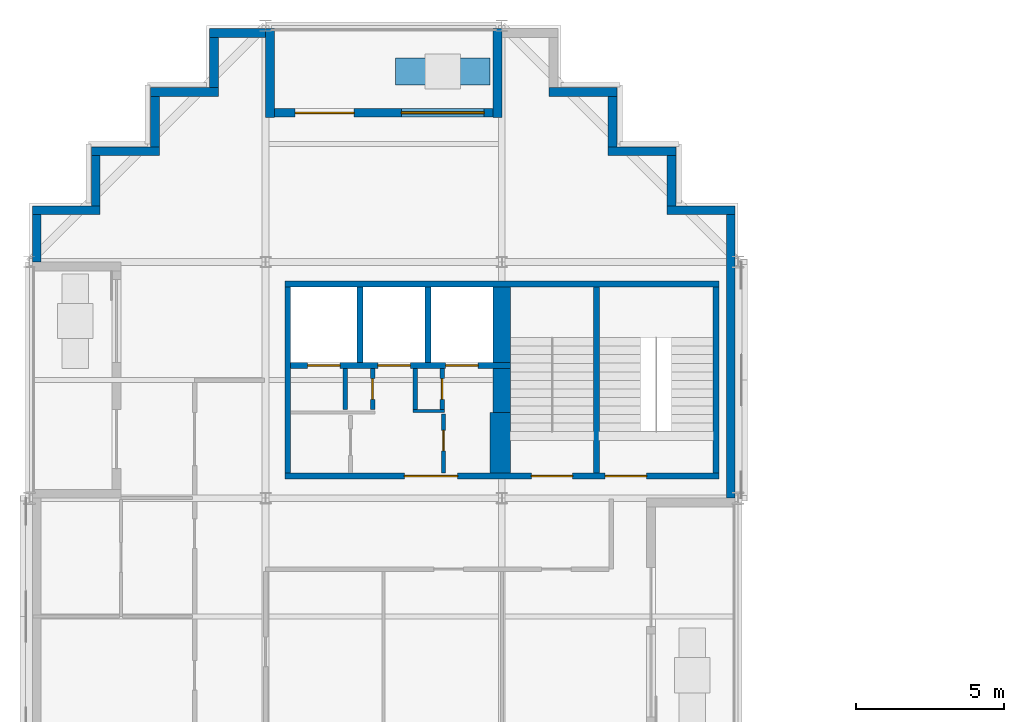
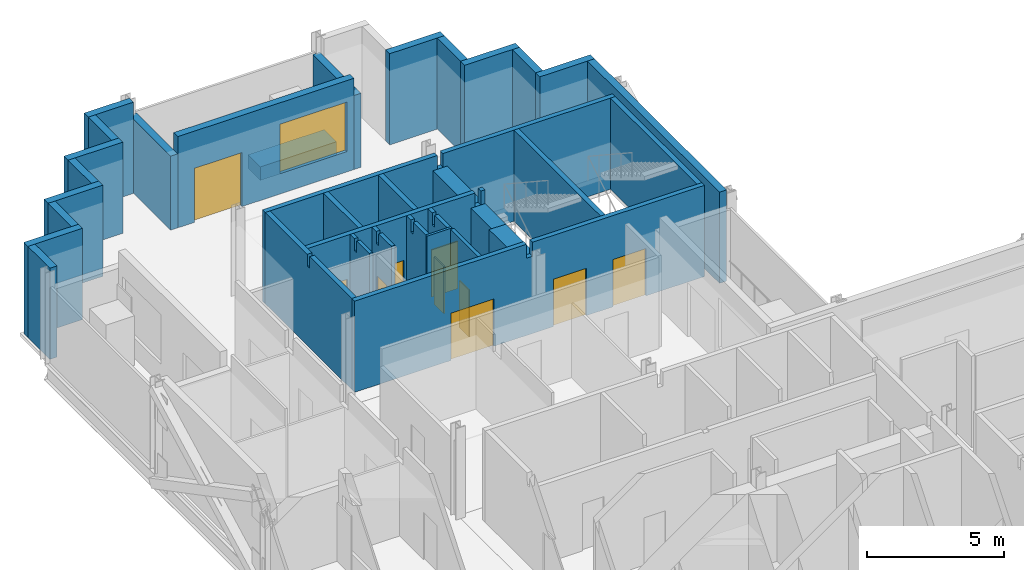
# One storey, part 8 of 12: 35 walls, 10 doors, 1 window, 11 openings.
"""IFC4 building model written with IfcOpenShell, lengths in metres."""

import ifcopenshell
import ifcopenshell.guid

model = None  # the IFC model being written
_history = None  # IfcOwnerHistory: only IFC2X3 demands one
_inside = {}  # id of a spatial element -> (the spatial element, [elements in it])
_under = {}  # id of a project, library or spatial element -> (it, [spatial elements below it])
_declared = {}  # id of a project -> (the project, [libraries it declares])
_typed = {}  # id of a type object -> (the type object, [elements of that type])
_made_of = {}  # id of a material, layer set ... -> (it, [elements and type objects made of it])


def new_model(schema):
    """Start an empty IFC model of exactly this schema.

    Asked for "IFC4X3", IfcOpenShell would pick the latest addendum, in which some entities
    have other attributes; the version numbers below select the first issue.
    IFC2X3 requires an IfcOwnerHistory on every rooted entity: one is made here for all.
    """
    global model, _history
    if schema == "IFC4X3":
        model = ifcopenshell.file(schema_version=(4, 3, 0, 0))
    else:
        model = ifcopenshell.file(schema=schema)
    _inside.clear()
    _under.clear()
    _declared.clear()
    _typed.clear()
    _made_of.clear()
    _history = None
    if model.schema == "IFC2X3":
        org = make("IfcOrganization", Name="unknown")
        user = make(
            "IfcPersonAndOrganization",
            ThePerson=make("IfcPerson", FamilyName="unknown"),
            TheOrganization=org,
        )
        app = make(
            "IfcApplication",
            ApplicationDeveloper=org,
            Version="unknown",
            ApplicationFullName="unknown",
            ApplicationIdentifier="unknown",
        )
        _history = make(
            "IfcOwnerHistory",
            OwningUser=user,
            OwningApplication=app,
            ChangeAction="ADDED",
            CreationDate=0,
        )
    return model


def make(cls, **values):
    """One entity of the class cls with the attributes given. An attribute that is None is left unset."""
    return model.create_entity(
        cls, **{name: value for name, value in values.items() if value is not None}
    )


def rooted(cls, **values):
    """An entity with a GlobalId (a new one), such as an element, a storey or a relation."""
    return make(cls, GlobalId=ifcopenshell.guid.new(), OwnerHistory=_history, **values)


def si_unit(unit_type, name, prefix=None):
    """IfcSIUnit, for example si_unit("LENGTHUNIT", "METRE", prefix="MILLI")."""
    return make("IfcSIUnit", UnitType=unit_type, Prefix=prefix, Name=name)


def assignment(units):
    """IfcUnitAssignment: the units of a project."""
    return None if units is None else make("IfcUnitAssignment", Units=units)


def point(xyz):
    """IfcCartesianPoint."""
    return None if xyz is None else make("IfcCartesianPoint", Coordinates=xyz)


def direction(xyz):
    """IfcDirection."""
    return None if xyz is None else make("IfcDirection", DirectionRatios=xyz)


def frame(location, z_axis=None, x_axis=None):
    """IfcAxis2Placement3D, a coordinate frame: its origin and axes. An axis left out is left unset."""
    return make(
        "IfcAxis2Placement3D",
        Location=point(location),
        Axis=direction(z_axis),
        RefDirection=direction(x_axis),
    )


def frame_2d(location, x_axis=None):
    """IfcAxis2Placement2D, a coordinate frame in the plane: its origin and x axis."""
    return make(
        "IfcAxis2Placement2D", Location=point(location), RefDirection=direction(x_axis)
    )


def origin():
    """The frame at (0, 0, 0) with its axes left unset."""
    return frame((0.0, 0.0, 0.0))


def place(relative_to, where):
    """IfcLocalPlacement: puts the frame where relative to a parent placement (None: the world)."""
    return make(
        "IfcLocalPlacement", PlacementRelTo=relative_to, RelativePlacement=where
    )


def context(
    kind, dimensions, precision=None, world=None, true_north=None, identifier=None
):
    """IfcGeometricRepresentationContext, for example the 3D "Model" context."""
    return make(
        "IfcGeometricRepresentationContext",
        ContextIdentifier=identifier,
        ContextType=kind,
        CoordinateSpaceDimension=dimensions,
        Precision=precision,
        WorldCoordinateSystem=world,
        TrueNorth=true_north,
    )


def subcontext(parent, identifier, kind, view, scale=None):
    """IfcGeometricRepresentationSubContext, for example "Body" below "Model"."""
    return make(
        "IfcGeometricRepresentationSubContext",
        ContextIdentifier=identifier,
        ContextType=kind,
        ParentContext=parent,
        TargetScale=scale,
        TargetView=view,
    )


def project(units=None, contexts=None):
    """IfcProject with its units and contexts."""
    return rooted(
        "IfcProject",
        Name="project",
        RepresentationContexts=contexts,
        UnitsInContext=assignment(units),
    )


def spatial(cls, under=None, at=None, **own):
    """A site, building, storey or space (cls), placed at a placement, below another one or the project."""
    s = rooted(cls, ObjectPlacement=at, **own)
    if under is not None:
        _under.setdefault(under.id(), (under, []))[1].append(s)
    return s


def polyline(points):
    """IfcPolyline through the points."""
    return make("IfcPolyline", Points=[point(p) for p in points])


def profile(cls, at=None, kind="AREA", **sizes):
    """A parametric profile (cls). Its sizes go by their IFC names, for example OverallWidth=200.0."""
    return make(cls, ProfileType=kind, Position=at, **sizes)


def rectangle(**sizes):
    """IfcRectangleProfileDef."""
    return profile("IfcRectangleProfileDef", **sizes)


def outline(outer, holes=None, kind="AREA"):
    """IfcArbitraryClosedProfileDef: a profile drawn as a closed curve; with holes, ...WithVoids."""
    if holes is None:
        return make("IfcArbitraryClosedProfileDef", ProfileType=kind, OuterCurve=outer)
    return make(
        "IfcArbitraryProfileDefWithVoids",
        ProfileType=kind,
        OuterCurve=outer,
        InnerCurves=holes,
    )


def extrude(swept, where, along, depth):
    """IfcExtrudedAreaSolid: the profile swept, set in the frame where, extruded along a direction by depth."""
    return make(
        "IfcExtrudedAreaSolid",
        SweptArea=swept,
        Position=where,
        ExtrudedDirection=direction(along),
        Depth=depth,
    )


def shape(context_of_items, identifier, shape_type, items):
    """IfcShapeRepresentation: the items that make up one representation, for example the "Body"."""
    return make(
        "IfcShapeRepresentation",
        ContextOfItems=context_of_items,
        RepresentationIdentifier=identifier,
        RepresentationType=shape_type,
        Items=items,
    )


def material(Name=None, Category=None):
    """IfcMaterial."""
    return make("IfcMaterial", Name=Name, Category=Category)


def layer(
    of_material, thickness, ventilated=None, Name=None, Category=None, Priority=None
):
    """IfcMaterialLayer: one layer of a wall or slab, of a material (None: an air gap)."""
    return make(
        "IfcMaterialLayer",
        Material=of_material,
        LayerThickness=thickness,
        IsVentilated=ventilated,
        Name=Name,
        Category=Category,
        Priority=Priority,
    )


def layer_set(layers, Name=None):
    """IfcMaterialLayerSet."""
    return make("IfcMaterialLayerSet", MaterialLayers=layers, LayerSetName=Name)


def made_of(thing, what):
    """Note that an element or type object is made of a material, layer set ...; save() writes the relation."""
    if what is not None:
        _made_of.setdefault(what.id(), (what, []))[1].append(thing)
    return thing


def type_object(cls, material=None, **own):
    """A type object (cls), such as IfcWallType, which elements share."""
    return made_of(rooted(cls, **own), material)


def element(
    cls,
    number,
    at=None,
    inside=None,
    cuts=None,
    type_object=None,
    material=None,
    context=None,
    identifier="Body",
    shape_type=None,
    held_by="IfcProductDefinitionShape",
    body=None,
    shapes=None,
    **own,
):
    """One element of the class cls, such as IfcWall. Its Tag is "e" and its number.

    at: its placement. inside: the storey or other place that contains it. cuts: it is an
    opening in that element (IfcRelVoidsElement). A single representation is given by context,
    identifier, shape_type and body (its items); several are given by shapes. held_by: the class
    of the entity that holds the representations. save() writes the other relations.
    """
    e = rooted(cls, Tag="e%d" % number, ObjectPlacement=at, **own)
    if body is not None:
        shapes = [shape(context, identifier, shape_type, body)]
    if shapes is not None:
        e.Representation = make(held_by, Representations=shapes)
    if inside is not None:
        _inside.setdefault(inside.id(), (inside, []))[1].append(e)
    if cuts is not None:
        rooted(
            "IfcRelVoidsElement", RelatingBuildingElement=cuts, RelatedOpeningElement=e
        )
    if type_object is not None:
        _typed.setdefault(type_object.id(), (type_object, []))[1].append(e)
    return made_of(e, material)


def fill(opening, filler):
    """IfcRelFillsElement: the door or window that sits in an opening."""
    return rooted(
        "IfcRelFillsElement",
        RelatingOpeningElement=opening,
        RelatedBuildingElement=filler,
    )


def aggregate(whole, parts):
    """IfcRelAggregates: a whole, such as a stair, and the parts it consists of."""
    return rooted("IfcRelAggregates", RelatingObject=whole, RelatedObjects=parts)


def save(model, path):
    """Write the relations noted so far, then the file.

    IfcRelAggregates (storeys below a building ...), IfcRelContainedInSpatialStructure (elements
    in a storey), IfcRelDefinesByType, IfcRelAssociatesMaterial and IfcRelDeclares: one each for
    every whole, place, type object, material and project.
    """
    for whole, parts in _under.values():
        aggregate(whole, parts)
    for where, things in _inside.values():
        rooted(
            "IfcRelContainedInSpatialStructure",
            RelatedElements=things,
            RelatingStructure=where,
        )
    for kind, things in _typed.values():
        rooted("IfcRelDefinesByType", RelatedObjects=things, RelatingType=kind)
    for what, things in _made_of.values():
        rooted("IfcRelAssociatesMaterial", RelatedObjects=things, RelatingMaterial=what)
    for by, libraries in _declared.values():
        rooted("IfcRelDeclares", RelatingContext=by, RelatedDefinitions=libraries)
    model.write(path)


model = new_model("IFC4")

# Units and contexts
model_context = context("Model", 3, precision=1e-05, world=origin(), true_north=direction((0.0, 1.0)))
body_context = subcontext(model_context, "Body", "Model", "MODEL_VIEW")
ifc_project = project(units=[si_unit("LENGTHUNIT", "METRE"), si_unit("AREAUNIT", "SQUARE_METRE"), si_unit("VOLUMEUNIT", "CUBIC_METRE"), si_unit("PLANEANGLEUNIT", "RADIAN"), si_unit("MASSUNIT", "GRAM", prefix="KILO")], contexts=[model_context])

# Site, building, storey
site_placement = place(None, origin())
site = spatial("IfcSite", under=ifc_project, at=site_placement, CompositionType="ELEMENT")
building_placement = place(site_placement, origin())
building = spatial("IfcBuilding", under=site, at=building_placement, Name="Immortelle Media Tower", CompositionType="ELEMENT")
storey_placement = place(building_placement, frame((0.0, 0.0, 124.199951171875)))
storey = spatial("IfcBuildingStorey", under=building, at=storey_placement, Name="L24", CompositionType="ELEMENT", Elevation=124.199951171875)

# Walls
ifc_material_1 = material(Name="Fire-rated gypsum board", Category="gypsum")
ifc_layer_1 = layer(ifc_material_1, 0.02490234375)
ifc_material_2 = material(Name="Steel ASTM A653 SS Gr 50 stud frame with mineral wool", Category="steel")
ifc_layer_2 = layer(ifc_material_2, 0.050048828125)
ifc_layer_3 = layer(ifc_material_1, 0.02490234375)
ifc_layer_set_1 = layer_set([ifc_layer_1, ifc_layer_2, ifc_layer_3], Name="Steel ASTM A653 SS Gr 50 stud frame with mineral wool")
wall_type_1 = type_object("IfcWallType", Name="Core partition 100", PredefinedType="PARTITIONING", material=ifc_layer_set_1)
wall_1_placement = place(storey_placement, frame((13.0, 34.949951171875, 0.0), z_axis=(0.0, 0.0, 1.0), x_axis=(1.0, 0.0, 0.0)))
element("IfcWall", 1, at=wall_1_placement, inside=storey, type_object=wall_type_1, Name="Core partition NW", PredefinedType="PARTITIONING", context=body_context, shape_type="SweptSolid", body=[
    extrude(rectangle(XDim=1.050048828125, YDim=0.10009765625, at=frame_2d((0.52490234375, 0.0))), origin(), (0.0, 0.0, 1.0), 4.050048828125),
])
ifc_layer_4 = layer(ifc_material_1, 0.02490234375)
ifc_layer_5 = layer(ifc_material_2, 0.10009765625)
ifc_layer_6 = layer(ifc_material_1, 0.02490234375)
ifc_layer_set_2 = layer_set([ifc_layer_4, ifc_layer_5, ifc_layer_6], Name="Steel ASTM A653 SS Gr 50 stud frame with mineral wool")
wall_type_2 = type_object("IfcWallType", Name="Core partition 150", PredefinedType="PARTITIONING", material=ifc_layer_set_2)
wall_2_placement = place(storey_placement, frame((10.699951171875, 35.0, 0.0), z_axis=(0.0, 0.0, 1.0), x_axis=(0.0, 1.0, 0.0)))
element("IfcWall", 2, at=wall_2_placement, inside=storey, type_object=wall_type_2, Name="Core partition NW", PredefinedType="PARTITIONING", context=body_context, shape_type="SweptSolid", body=[
    extrude(outline(polyline([(0.0, 0.0), (1.39990234375, 0.0), (1.39990234375, 4.050048828125), (1.08740234375, 4.050048828125), (1.08642578125, 3.51806640625), (0.91357421875, 3.51806640625), (0.91259765625, 4.050048828125), (0.0, 4.050048828125), (0.0, 0.0)])), frame((0.0, 0.074951171875, 0.0), z_axis=(0.0, -1.0, 0.0), x_axis=(1.0, 0.0, 0.0)), (0.0, 0.0, 1.0), 0.14990234375),
])

# Wall, opening, door
wall_3_placement = place(storey_placement, frame((11.625, 35.0, 0.0), z_axis=(0.0, 0.0, 1.0), x_axis=(0.0, 1.0, 0.0)))
wall_3 = element("IfcWall", 3, at=wall_3_placement, inside=storey, type_object=wall_type_2, Name="Core partition NW", PredefinedType="PARTITIONING", context=body_context, shape_type="SweptSolid", body=[
    extrude(outline(polyline([(0.0, 0.0), (1.39990234375, 0.0), (1.39990234375, 4.050048828125), (1.08740234375, 4.050048828125), (1.08642578125, 3.51806640625), (0.91357421875, 3.51806640625), (0.91259765625, 4.050048828125), (0.0, 4.050048828125), (0.0, 0.0)])), frame((0.0, 0.074951171875, 0.0), z_axis=(0.0, -1.0, 0.0), x_axis=(1.0, 0.0, 0.0)), (0.0, 0.0, 1.0), 0.14990234375),
])
opening_1_placement = place(wall_3_placement, frame((0.35009765625, 0.0, 0.0)))
opening_1 = element("IfcOpeningElement", 4, at=opening_1_placement, cuts=wall_3, Name="Opening C1-K027", PredefinedType="OPENING", context=body_context, shape_type="SweptSolid", body=[
    extrude(rectangle(XDim=0.699951171875, YDim=2.10009765625, at=frame_2d((0.35009765625, 1.050048828125))), frame((0.0, 0.0849609375, 0.0), z_axis=(0.0, -1.0, 0.0), x_axis=(1.0, 0.0, 0.0)), (0.0, 0.0, 1.0), 0.169921875),
])
ifc_material_3 = material(Name="Galvanised steel door leaf and frame ASTM A653", Category="steel")
door_type_1 = type_object("IfcDoorType", Name="Service door 700 x 2100", OperationType="NOTDEFINED", PredefinedType="NOTDEFINED", material=ifc_material_3)
door_1_placement = place(opening_1_placement, origin())
door_1 = element("IfcDoor", 5, at=door_1_placement, inside=storey, type_object=door_type_1, Name="Service C1-K027", OperationType="SINGLE_SWING_RIGHT", OverallHeight=2.10009765625, OverallWidth=0.699951171875, PredefinedType="NOTDEFINED", context=body_context, shape_type="SweptSolid", body=[
    extrude(rectangle(XDim=0.699951171875, YDim=2.10009765625, at=frame_2d((0.35009765625, 1.050048828125))), frame((0.0, 0.02490234375, 0.0), z_axis=(0.0, -1.0, 0.0), x_axis=(1.0, 0.0, 0.0)), (0.0, 0.0, 1.0), 0.050048828125),
])
fill(opening_1, door_1)

# Wall
wall_4_placement = place(storey_placement, frame((13.074951171875, 35.0, 0.0), z_axis=(0.0, 0.0, 1.0), x_axis=(0.0, 1.0, 0.0)))
element("IfcWall", 6, at=wall_4_placement, inside=storey, type_object=wall_type_2, Name="Core partition NW", PredefinedType="PARTITIONING", context=body_context, shape_type="SweptSolid", body=[
    extrude(outline(polyline([(0.0, 0.0), (1.39990234375, 0.0), (1.39990234375, 4.050048828125), (1.08740234375, 4.050048828125), (1.08642578125, 3.51806640625), (0.91357421875, 3.51806640625), (0.91259765625, 4.050048828125), (0.0, 4.050048828125), (0.0, 0.0)])), frame((0.0, 0.074951171875, 0.0), z_axis=(0.0, -1.0, 0.0), x_axis=(1.0, 0.0, 0.0)), (0.0, 0.0, 1.0), 0.14990234375),
])

# Wall, opening, door
wall_5_placement = place(storey_placement, frame((13.97509765625, 35.0, 0.0), z_axis=(0.0, 0.0, 1.0), x_axis=(0.0, 1.0, 0.0)))
wall_5 = element("IfcWall", 7, at=wall_5_placement, inside=storey, type_object=wall_type_2, Name="Core partition NW", PredefinedType="PARTITIONING", context=body_context, shape_type="SweptSolid", body=[
    extrude(outline(polyline([(0.0, 0.0), (1.39990234375, 0.0), (1.39990234375, 4.050048828125), (1.08740234375, 4.050048828125), (1.08642578125, 3.51806640625), (0.91357421875, 3.51806640625), (0.91259765625, 4.050048828125), (0.0, 4.050048828125), (0.0, 0.0)])), frame((0.0, 0.074951171875, 0.0), z_axis=(0.0, -1.0, 0.0), x_axis=(1.0, 0.0, 0.0)), (0.0, 0.0, 1.0), 0.14990234375),
])
opening_2_placement = place(wall_5_placement, frame((1.050048828125, 0.0, 0.0), z_axis=(0.0, 0.0, 1.0), x_axis=(-1.0, 0.0, 0.0)))
opening_2 = element("IfcOpeningElement", 8, at=opening_2_placement, cuts=wall_5, Name="Opening C1-K030", PredefinedType="OPENING", context=body_context, shape_type="SweptSolid", body=[
    extrude(rectangle(XDim=0.699951171875, YDim=2.10009765625, at=frame_2d((0.35009765625, 1.050048828125))), frame((0.0, 0.0849609375, 0.0), z_axis=(0.0, -1.0, 0.0), x_axis=(1.0, 0.0, 0.0)), (0.0, 0.0, 1.0), 0.169921875),
])
door_2_placement = place(opening_2_placement, origin())
door_2 = element("IfcDoor", 9, at=door_2_placement, inside=storey, type_object=door_type_1, Name="Service C1-K030", OperationType="SINGLE_SWING_RIGHT", OverallHeight=2.10009765625, OverallWidth=0.699951171875, PredefinedType="NOTDEFINED", context=body_context, shape_type="SweptSolid", body=[
    extrude(rectangle(XDim=0.699951171875, YDim=2.10009765625, at=frame_2d((0.35009765625, 1.050048828125))), frame((0.0, 0.02490234375, 0.0), z_axis=(0.0, -1.0, 0.0), x_axis=(1.0, 0.0, 0.0)), (0.0, 0.0, 1.0), 0.050048828125),
])
fill(opening_2, door_2)

wall_6_placement = place(storey_placement, frame((14.02490234375, 32.85009765625, 0.0), z_axis=(0.0, 0.0, 1.0), x_axis=(0.0, 1.0, 0.0)))
wall_6 = element("IfcWall", 10, at=wall_6_placement, inside=storey, type_object=wall_type_2, Name="Core partition NW", PredefinedType="PARTITIONING", context=body_context, shape_type="SweptSolid", body=[
    extrude(rectangle(XDim=2.0, YDim=0.14990234375, at=frame_2d((1.0, 0.0))), origin(), (0.0, 0.0, 1.0), 4.050048828125),
])
opening_3_placement = place(wall_6_placement, frame((1.449951171875, 0.0, 0.0), z_axis=(0.0, 0.0, 1.0), x_axis=(-1.0, 0.0, 0.0)))
opening_3 = element("IfcOpeningElement", 11, at=opening_3_placement, cuts=wall_6, Name="Opening C1-K031", PredefinedType="OPENING", context=body_context, shape_type="SweptSolid", body=[
    extrude(rectangle(XDim=0.699951171875, YDim=2.10009765625, at=frame_2d((0.35009765625, 1.050048828125))), frame((0.0, 0.0849609375, 0.0), z_axis=(0.0, -1.0, 0.0), x_axis=(1.0, 0.0, 0.0)), (0.0, 0.0, 1.0), 0.169921875),
])
door_3_placement = place(opening_3_placement, origin())
door_3 = element("IfcDoor", 12, at=door_3_placement, inside=storey, type_object=door_type_1, Name="Service C1-K031", OperationType="SINGLE_SWING_LEFT", OverallHeight=2.10009765625, OverallWidth=0.699951171875, PredefinedType="NOTDEFINED", context=body_context, shape_type="SweptSolid", body=[
    extrude(rectangle(XDim=0.699951171875, YDim=2.10009765625, at=frame_2d((0.35009765625, 1.050048828125))), frame((0.0, 0.02490234375, 0.0), z_axis=(0.0, -1.0, 0.0), x_axis=(1.0, 0.0, 0.0)), (0.0, 0.0, 1.0), 0.050048828125),
])
fill(opening_3, door_3)

# Wall
ifc_layer_7 = layer(ifc_material_1, 0.03759765625)
ifc_layer_8 = layer(ifc_material_2, 0.125)
ifc_layer_9 = layer(ifc_material_1, 0.03759765625)
ifc_layer_set_3 = layer_set([ifc_layer_7, ifc_layer_8, ifc_layer_9], Name="Steel ASTM A653 SS Gr 50 stud frame with mineral wool")
wall_type_3 = type_object("IfcWallType", Name="Core shaft wall 200", PredefinedType="PARTITIONING", material=ifc_layer_set_3)
wall_7_placement = place(storey_placement, frame((8.75, 32.85009765625, 0.0), z_axis=(0.0, 0.0, 1.0), x_axis=(0.0, 1.0, 0.0)))
element("IfcWall", 13, at=wall_7_placement, inside=storey, type_object=wall_type_3, Name="Core shaft wall NW", PredefinedType="PARTITIONING", context=body_context, shape_type="SweptSolid", body=[
    extrude(outline(polyline([(0.0, 0.0), (6.2998046875, 0.0), (6.300048828125, 4.050048828125), (3.237548828125, 4.050048828125), (3.236572265625, 3.51806640625), (3.0634765625, 3.51806640625), (3.0625, 4.050048828125), (0.0, 4.050048828125), (0.0, 0.0)])), frame((0.0, 0.10009765625, 0.0), z_axis=(0.0, -1.0, 0.0), x_axis=(1.0, 0.0, 0.0)), (0.0, 0.0, 1.0), 0.199951171875),
])

# Wall, openings, doors
wall_8_placement = place(storey_placement, frame((8.85009765625, 36.5, 0.0), z_axis=(0.0, 0.0, 1.0), x_axis=(1.0, 0.0, 0.0)))
wall_8 = element("IfcWall", 14, at=wall_8_placement, inside=storey, type_object=wall_type_3, Name="Core shaft wall NW", PredefinedType="PARTITIONING", context=body_context, shape_type="SweptSolid", body=[
    extrude(outline(polyline([(0.0, 0.0), (7.449951171875, 0.0), (7.449951171875, 4.050048828125), (7.26953125, 4.050048828125), (7.2685546875, 3.43212890625), (7.031494140625, 3.43212890625), (7.030517578125, 4.050048828125), (0.0, 4.050048828125), (0.0, 0.0)])), frame((0.0, 0.10009765625, 0.0), z_axis=(0.0, -1.0, 0.0), x_axis=(1.0, 0.0, 0.0)), (0.0, 0.0, 1.0), 0.199951171875),
])
opening_4_placement = place(wall_8_placement, frame((0.574951171875, 0.0, 0.0)))
opening_4 = element("IfcOpeningElement", 15, at=opening_4_placement, cuts=wall_8, Name="Opening LD", PredefinedType="OPENING", context=body_context, shape_type="SweptSolid", body=[
    extrude(rectangle(XDim=1.10009765625, YDim=2.10009765625, at=frame_2d((0.550048828125, 1.050048828125))), frame((0.0, 0.10986328125, 0.0), z_axis=(0.0, -1.0, 0.0), x_axis=(1.0, 0.0, 0.0)), (0.0, 0.0, 1.0), 0.219970703125),
])
opening_5_placement = place(wall_8_placement, frame((2.949951171875, 0.0, 0.0)))
opening_5 = element("IfcOpeningElement", 16, at=opening_5_placement, cuts=wall_8, Name="Opening LD", PredefinedType="OPENING", context=body_context, shape_type="SweptSolid", body=[
    extrude(rectangle(XDim=1.10009765625, YDim=2.10009765625, at=frame_2d((0.550048828125, 1.050048828125))), frame((0.0, 0.10986328125, 0.0), z_axis=(0.0, -1.0, 0.0), x_axis=(1.0, 0.0, 0.0)), (0.0, 0.0, 1.0), 0.219970703125),
])
opening_6_placement = place(wall_8_placement, frame((5.25, 0.0, 0.0)))
opening_6 = element("IfcOpeningElement", 17, at=opening_6_placement, cuts=wall_8, Name="Opening LD", PredefinedType="OPENING", context=body_context, shape_type="SweptSolid", body=[
    extrude(rectangle(XDim=1.10009765625, YDim=2.10009765625, at=frame_2d((0.550048828125, 1.050048828125))), frame((0.0, 0.10986328125, 0.0), z_axis=(0.0, -1.0, 0.0), x_axis=(1.0, 0.0, 0.0)), (0.0, 0.0, 1.0), 0.219970703125),
])
ifc_material_4 = material(Name="Stainless steel AISI 304", Category="steel")
door_type_2 = type_object("IfcDoorType", Name="Landing door 1100 x 2100", OperationType="SLIDING_TO_LEFT", PredefinedType="NOTDEFINED", material=ifc_material_4)
door_4_placement = place(opening_4_placement, origin())
door_4 = element("IfcDoor", 18, at=door_4_placement, inside=storey, type_object=door_type_2, Name="Landing door MR1 L24", OperationType="SLIDING_TO_LEFT", OverallHeight=2.10009765625, OverallWidth=1.10009765625, PredefinedType="NOTDEFINED", context=body_context, shape_type="SweptSolid", body=[
    extrude(rectangle(XDim=1.10009765625, YDim=2.10009765625, at=frame_2d((0.550048828125, 1.050048828125))), frame((0.0, 0.02490234375, 0.0), z_axis=(0.0, -1.0, 0.0), x_axis=(1.0, 0.0, 0.0)), (0.0, 0.0, 1.0), 0.050048828125),
])
fill(opening_4, door_4)
door_5_placement = place(opening_5_placement, origin())
door_5 = element("IfcDoor", 19, at=door_5_placement, inside=storey, type_object=door_type_2, Name="Landing door MR2 L24", OperationType="SLIDING_TO_LEFT", OverallHeight=2.10009765625, OverallWidth=1.10009765625, PredefinedType="NOTDEFINED", context=body_context, shape_type="SweptSolid", body=[
    extrude(rectangle(XDim=1.10009765625, YDim=2.10009765625, at=frame_2d((0.550048828125, 1.050048828125))), frame((0.0, 0.02490234375, 0.0), z_axis=(0.0, -1.0, 0.0), x_axis=(1.0, 0.0, 0.0)), (0.0, 0.0, 1.0), 0.050048828125),
])
fill(opening_5, door_5)
door_6_placement = place(opening_6_placement, origin())
door_6 = element("IfcDoor", 20, at=door_6_placement, inside=storey, type_object=door_type_2, Name="Landing door MR3 L24", OperationType="SLIDING_TO_LEFT", OverallHeight=2.10009765625, OverallWidth=1.10009765625, PredefinedType="NOTDEFINED", context=body_context, shape_type="SweptSolid", body=[
    extrude(rectangle(XDim=1.10009765625, YDim=2.10009765625, at=frame_2d((0.550048828125, 1.050048828125))), frame((0.0, 0.02490234375, 0.0), z_axis=(0.0, -1.0, 0.0), x_axis=(1.0, 0.0, 0.0)), (0.0, 0.0, 1.0), 0.050048828125),
])
fill(opening_6, door_6)

# Walls
for number, where, z_axis, x_axis, name in (
    (21, (11.199951171875, 36.60009765625, 0.0), (0.0, 0.0, 1.0), (0.0, 1.0, 0.0), "Core shaft wall NW"),
    (22, (13.5, 36.60009765625, 0.0), (0.0, 0.0, 1.0), (0.0, 1.0, 0.0), "Core shaft wall NW"),
):
    element("IfcWall", number, at=place(storey_placement, frame(where, z_axis=z_axis, x_axis=x_axis)), inside=storey, type_object=wall_type_3, Name=name, PredefinedType="PARTITIONING", context=body_context, shape_type="SweptSolid", body=[
        extrude(rectangle(XDim=2.5498046875, YDim=0.199951171875, at=frame_2d((1.27490234375, 0.0))), origin(), (0.0, 0.0, 1.0), 4.050048828125),
    ])
ifc_material_5 = material(Name="Pale aluminium cladding panel", Category="aluminium")
ifc_layer_10 = layer(ifc_material_5, 0.030029296875)
ifc_layer_11 = layer(ifc_material_2, 0.257568359375)
ifc_material_6 = material(Name="Moisture-resistant gypsum board", Category="gypsum")
ifc_layer_12 = layer(ifc_material_6, 0.012451171875)
ifc_layer_set_4 = layer_set([ifc_layer_10, ifc_layer_11, ifc_layer_12], Name="Steel ASTM A653 SS Gr 50 stud frame with mineral wool")
wall_type_4 = type_object("IfcWallType", Name="Facade wall 300", PredefinedType="SOLIDWALL", material=ifc_layer_set_4)
wall_9_placement = place(storey_placement, frame((23.75, 32.0, 0.0), z_axis=(0.0, 0.0, 1.0), x_axis=(0.0, 1.0, 0.0)))
element("IfcWall", 23, at=wall_9_placement, inside=storey, type_object=wall_type_4, Name="Facade wall L24 E21", PredefinedType="SOLIDWALL", context=body_context, shape_type="SweptSolid", body=[
    extrude(rectangle(XDim=9.60009765625, YDim=0.300048828125, at=frame_2d((4.800048828125, 0.0))), origin(), (0.0, 0.0, 1.0), 4.050048828125),
])
wall_10_placement = place(storey_placement, frame((23.89990234375, 41.75, 0.0), z_axis=(0.0, 0.0, 1.0), x_axis=(-1.0, 0.0, 0.0)))
element("IfcWall", 24, at=wall_10_placement, inside=storey, type_object=wall_type_4, Name="Facade wall L24 N22", PredefinedType="SOLIDWALL", context=body_context, shape_type="SweptSolid", body=[
    extrude(rectangle(XDim=2.2998046875, YDim=0.300048828125, at=frame_2d((1.14990234375, 0.0))), origin(), (0.0, 0.0, 1.0), 4.050048828125),
])
wall_11_placement = place(storey_placement, frame((21.75, 41.89990234375, 0.0), z_axis=(0.0, 0.0, 1.0), x_axis=(0.0, 1.0, 0.0)))
element("IfcWall", 25, at=wall_11_placement, inside=storey, type_object=wall_type_4, Name="Facade wall L24 E23", PredefinedType="SOLIDWALL", context=body_context, shape_type="SweptSolid", body=[
    extrude(rectangle(XDim=1.7001953125, YDim=0.300048828125, at=frame_2d((0.85009765625, 0.0))), origin(), (0.0, 0.0, 1.0), 4.050048828125),
])
wall_12_placement = place(storey_placement, frame((21.89990234375, 43.75, 0.0), z_axis=(0.0, 0.0, 1.0), x_axis=(-1.0, 0.0, 0.0)))
element("IfcWall", 26, at=wall_12_placement, inside=storey, type_object=wall_type_4, Name="Facade wall L24 N24", PredefinedType="SOLIDWALL", context=body_context, shape_type="SweptSolid", body=[
    extrude(rectangle(XDim=2.2998046875, YDim=0.300048828125, at=frame_2d((1.14990234375, 0.0))), origin(), (0.0, 0.0, 1.0), 4.050048828125),
])
wall_13_placement = place(storey_placement, frame((19.75, 43.89990234375, 0.0), z_axis=(0.0, 0.0, 1.0), x_axis=(0.0, 1.0, 0.0)))
element("IfcWall", 27, at=wall_13_placement, inside=storey, type_object=wall_type_4, Name="Facade wall L24 E25", PredefinedType="SOLIDWALL", context=body_context, shape_type="SweptSolid", body=[
    extrude(rectangle(XDim=1.7001953125, YDim=0.300048828125, at=frame_2d((0.85009765625, 0.0))), origin(), (0.0, 0.0, 1.0), 4.050048828125),
])
wall_14_placement = place(storey_placement, frame((19.89990234375, 45.75, 0.0), z_axis=(0.0, 0.0, 1.0), x_axis=(-1.0, 0.0, 0.0)))
element("IfcWall", 28, at=wall_14_placement, inside=storey, type_object=wall_type_4, Name="Facade wall L24 N26", PredefinedType="SOLIDWALL", context=body_context, shape_type="SweptSolid", body=[
    extrude(rectangle(XDim=2.2998046875, YDim=0.300048828125, at=frame_2d((1.14990234375, 0.0))), origin(), (0.0, 0.0, 1.0), 4.050048828125),
])

# Wall, openings, door, window
wall_15_placement = place(storey_placement, frame((15.699951171875, 45.050048828125, 0.0), z_axis=(0.0, 0.0, 1.0), x_axis=(-1.0, 0.0, 0.0)))
wall_15 = element("IfcWall", 29, at=wall_15_placement, inside=storey, type_object=wall_type_4, Name="Loggia wall L24 N28", PredefinedType="SOLIDWALL", context=body_context, shape_type="SweptSolid", body=[
    extrude(rectangle(XDim=7.39990234375, YDim=0.300048828125, at=frame_2d((3.699951171875, 0.0))), origin(), (0.0, 0.0, 1.0), 4.050048828125),
])
opening_7_placement = place(wall_15_placement, frame((0.300048828125, 0.0, 0.89990234375)))
opening_7 = element("IfcOpeningElement", 30, at=opening_7_placement, cuts=wall_15, Name="Opening W1", PredefinedType="OPENING", context=body_context, shape_type="SweptSolid", body=[
    extrude(rectangle(XDim=2.800048828125, YDim=2.199951171875, at=frame_2d((1.39990234375, 1.10009765625))), frame((0.0, 0.159912109375, 0.0), z_axis=(0.0, -1.0, 0.0), x_axis=(1.0, 0.0, 0.0)), (0.0, 0.0, 1.0), 0.320068359375),
])
opening_8_placement = place(wall_15_placement, frame((4.699951171875, 0.0, 0.0)))
opening_8 = element("IfcOpeningElement", 31, at=opening_8_placement, cuts=wall_15, Name="Opening C1-E006", PredefinedType="OPENING", context=body_context, shape_type="SweptSolid", body=[
    extrude(rectangle(XDim=2.0, YDim=2.39990234375, at=frame_2d((1.0, 1.199951171875))), frame((0.0, 0.159912109375, 0.0), z_axis=(0.0, -1.0, 0.0), x_axis=(1.0, 0.0, 0.0)), (0.0, 0.0, 1.0), 0.320068359375),
])
ifc_material_7 = material(Name="Aluminium frame, glazed leaves", Category="aluminium")
door_type_3 = type_object("IfcDoorType", Name="Loggia door 2000 x 2400", OperationType="DOUBLE_DOOR_SINGLE_SWING", PredefinedType="DOOR", material=ifc_material_7)
door_7_placement = place(opening_8_placement, origin())
door_7 = element("IfcDoor", 32, at=door_7_placement, inside=storey, type_object=door_type_3, Name="Door C1-E006", OperationType="DOUBLE_DOOR_SINGLE_SWING", OverallHeight=2.39990234375, OverallWidth=2.0, PredefinedType="DOOR", context=body_context, shape_type="SweptSolid", body=[
    extrude(rectangle(XDim=2.0, YDim=2.39990234375, at=frame_2d((1.0, 1.199951171875))), frame((0.0, 0.02490234375, 0.0), z_axis=(0.0, -1.0, 0.0), x_axis=(1.0, 0.0, 0.0)), (0.0, 0.0, 1.0), 0.050048828125),
])
fill(opening_8, door_7)
ifc_material_8 = material(Name="Aluminium frame", Category="aluminium")
window_type = type_object("IfcWindowType", Name="Window 2800 x 2200", PartitioningType="SINGLE_PANEL", PredefinedType="WINDOW", material=ifc_material_8)
window_placement = place(opening_7_placement, origin())
window = element("IfcWindow", 33, at=window_placement, inside=storey, type_object=window_type, Name="Window L24 L24-R28-B0", OverallHeight=2.199951171875, OverallWidth=2.800048828125, PartitioningType="SINGLE_PANEL", PredefinedType="WINDOW", context=body_context, shape_type="SweptSolid", body=[
    extrude(rectangle(XDim=2.800048828125, YDim=2.199951171875, at=frame_2d((1.39990234375, 1.10009765625))), frame((0.0, 0.030029296875, 0.0), z_axis=(0.0, -1.0, 0.0), x_axis=(1.0, 0.0, 0.0)), (0.0, 0.0, 1.0), 0.06005859375),
])
fill(opening_7, window)

# Walls
for number, where, z_axis, x_axis, name in (
    (34, (15.85009765625, 47.89990234375, 0.0), (0.0, 0.0, 1.0), (0.0, -1.0, 0.0), "Loggia cheek wall L24 N"),
    (35, (8.14990234375, 47.89990234375, 0.0), (0.0, 0.0, 1.0), (0.0, -1.0, 0.0), "Loggia cheek wall L24 N"),
):
    element("IfcWall", number, at=place(storey_placement, frame(where, z_axis=z_axis, x_axis=x_axis)), inside=storey, type_object=wall_type_4, Name=name, PredefinedType="SOLIDWALL", context=body_context, shape_type="SweptSolid", body=[
        extrude(rectangle(XDim=3.0, YDim=0.300048828125, at=frame_2d((1.5, 0.0))), origin(), (0.0, 0.0, 1.0), 3.287109375),
    ])
wall_16_placement = place(storey_placement, frame((8.0, 47.75, 0.0), z_axis=(0.0, 0.0, 1.0), x_axis=(-1.0, 0.0, 0.0)))
element("IfcWall", 36, at=wall_16_placement, inside=storey, type_object=wall_type_4, Name="Facade wall L24 N28", PredefinedType="SOLIDWALL", context=body_context, shape_type="SweptSolid", body=[
    extrude(rectangle(XDim=1.89990234375, YDim=0.300048828125, at=frame_2d((0.949951171875, 0.0))), origin(), (0.0, 0.0, 1.0), 4.050048828125),
])
wall_17_placement = place(storey_placement, frame((6.25, 47.60009765625, 0.0), z_axis=(0.0, 0.0, 1.0), x_axis=(0.0, -1.0, 0.0)))
element("IfcWall", 37, at=wall_17_placement, inside=storey, type_object=wall_type_4, Name="Facade wall L24 W29", PredefinedType="SOLIDWALL", context=body_context, shape_type="SweptSolid", body=[
    extrude(rectangle(XDim=1.7001953125, YDim=0.300048828125, at=frame_2d((0.85009765625, 0.0))), origin(), (0.0, 0.0, 1.0), 4.050048828125),
])
wall_18_placement = place(storey_placement, frame((6.39990234375, 45.75, 0.0), z_axis=(0.0, 0.0, 1.0), x_axis=(-1.0, 0.0, 0.0)))
element("IfcWall", 38, at=wall_18_placement, inside=storey, type_object=wall_type_4, Name="Facade wall L24 N30", PredefinedType="SOLIDWALL", context=body_context, shape_type="SweptSolid", body=[
    extrude(rectangle(XDim=2.2998046875, YDim=0.300048828125, at=frame_2d((1.14990234375, 0.0))), origin(), (0.0, 0.0, 1.0), 4.050048828125),
])
wall_19_placement = place(storey_placement, frame((4.25, 45.60009765625, 0.0), z_axis=(0.0, 0.0, 1.0), x_axis=(0.0, -1.0, 0.0)))
element("IfcWall", 39, at=wall_19_placement, inside=storey, type_object=wall_type_4, Name="Facade wall L24 W31", PredefinedType="SOLIDWALL", context=body_context, shape_type="SweptSolid", body=[
    extrude(rectangle(XDim=1.7001953125, YDim=0.300048828125, at=frame_2d((0.85009765625, 0.0))), origin(), (0.0, 0.0, 1.0), 4.050048828125),
])
wall_20_placement = place(storey_placement, frame((4.39990234375, 43.75, 0.0), z_axis=(0.0, 0.0, 1.0), x_axis=(-1.0, 0.0, 0.0)))
element("IfcWall", 40, at=wall_20_placement, inside=storey, type_object=wall_type_4, Name="Facade wall L24 N32", PredefinedType="SOLIDWALL", context=body_context, shape_type="SweptSolid", body=[
    extrude(rectangle(XDim=2.2998046875, YDim=0.300048828125, at=frame_2d((1.14990234375, 0.0))), origin(), (0.0, 0.0, 1.0), 4.050048828125),
])
wall_21_placement = place(storey_placement, frame((2.25, 43.60009765625, 0.0), z_axis=(0.0, 0.0, 1.0), x_axis=(0.0, -1.0, 0.0)))
element("IfcWall", 41, at=wall_21_placement, inside=storey, type_object=wall_type_4, Name="Facade wall L24 W33", PredefinedType="SOLIDWALL", context=body_context, shape_type="SweptSolid", body=[
    extrude(rectangle(XDim=1.7001953125, YDim=0.300048828125, at=frame_2d((0.85009765625, 0.0))), origin(), (0.0, 0.0, 1.0), 4.050048828125),
])
wall_22_placement = place(storey_placement, frame((2.39990234375, 41.75, 0.0), z_axis=(0.0, 0.0, 1.0), x_axis=(-1.0, 0.0, 0.0)))
element("IfcWall", 42, at=wall_22_placement, inside=storey, type_object=wall_type_4, Name="Facade wall L24 N34", PredefinedType="SOLIDWALL", context=body_context, shape_type="SweptSolid", body=[
    extrude(rectangle(XDim=2.2998046875, YDim=0.300048828125, at=frame_2d((1.14990234375, 0.0))), origin(), (0.0, 0.0, 1.0), 4.050048828125),
])
wall_23_placement = place(storey_placement, frame((0.25, 41.60009765625, 0.0), z_axis=(0.0, 0.0, 1.0), x_axis=(0.0, -1.0, 0.0)))
element("IfcWall", 43, at=wall_23_placement, inside=storey, type_object=wall_type_4, Name="Facade wall L24 W35", PredefinedType="SOLIDWALL", context=body_context, shape_type="SweptSolid", body=[
    extrude(rectangle(XDim=1.60009765625, YDim=0.300048828125, at=frame_2d((0.800048828125, 0.0))), origin(), (0.0, 0.0, 1.0), 4.050048828125),
])
ifc_layer_13 = layer(ifc_material_5, 0.0029296875)
ifc_material_9 = material(Name="Steel ASTM A572 Gr 50 planter shell", Category="steel")
ifc_layer_14 = layer(ifc_material_9, 0.011962890625)
ifc_material_10 = material(Name="Planting substrate", Category="soil")
ifc_layer_15 = layer(ifc_material_10, 0.873046875)
ifc_layer_16 = layer(ifc_material_9, 0.011962890625)
ifc_layer_set_5 = layer_set([ifc_layer_13, ifc_layer_14, ifc_layer_15, ifc_layer_16], Name="Steel ASTM A572 Gr 50 planter shell")
wall_type_5 = type_object("IfcWallType", Name="Planter wall 900", PredefinedType="SOLIDWALL", material=ifc_layer_set_5)
wall_24_placement = place(storey_placement, frame((15.60009765625, 46.449951171875, 0.0), z_axis=(0.0, 0.0, 1.0), x_axis=(-1.0, 0.0, 0.0)))
element("IfcWall", 44, at=wall_24_placement, inside=storey, type_object=wall_type_5, Name="Planter L24 N0", PredefinedType="SOLIDWALL", context=body_context, shape_type="SweptSolid", body=[
    extrude(rectangle(XDim=3.2001953125, YDim=0.89990234375, at=frame_2d((1.60009765625, 0.0))), origin(), (0.0, 0.0, 1.0), 0.60009765625),
])

# Wall, openings, doors
ifc_material_11 = material(Name="Concrete C60", Category="concrete")
ifc_layer_17 = layer(ifc_material_11, 0.199951171875)
ifc_layer_set_6 = layer_set([ifc_layer_17], Name="Concrete C60")
wall_type_6 = type_object("IfcWallType", Name="Stair shaft wall 200", PredefinedType="PARTITIONING", material=ifc_layer_set_6)
wall_25_placement = place(storey_placement, frame((8.64990234375, 32.75, 0.0), z_axis=(0.0, 0.0, 1.0), x_axis=(1.0, 0.0, 0.0)))
wall_25 = element("IfcWall", 45, at=wall_25_placement, inside=storey, type_object=wall_type_6, Name="Stair shaft wall NW", PredefinedType="PARTITIONING", context=body_context, shape_type="SweptSolid", body=[
    extrude(outline(polyline([(0.0, 0.0), (14.7001953125, 0.0), (14.699951171875, 4.050048828125), (7.469482421875, 4.050048828125), (7.468505859375, 3.43212890625), (7.2314453125, 3.43212890625), (7.23046875, 4.050048828125), (0.0, 4.050048828125), (0.0, 0.0)])), frame((0.0, 0.10009765625, 0.0), z_axis=(0.0, -1.0, 0.0), x_axis=(1.0, 0.0, 0.0)), (0.0, 0.0, 1.0), 0.199951171875),
])
opening_9_placement = place(wall_25_placement, frame((4.050048828125, 0.0, 0.0)))
opening_9 = element("IfcOpeningElement", 46, at=opening_9_placement, cuts=wall_25, Name="Opening C1-K029", PredefinedType="OPENING", context=body_context, shape_type="SweptSolid", body=[
    extrude(rectangle(XDim=1.800048828125, YDim=2.10009765625, at=frame_2d((0.89990234375, 1.050048828125))), frame((0.0, 0.10986328125, 0.0), z_axis=(0.0, -1.0, 0.0), x_axis=(1.0, 0.0, 0.0)), (0.0, 0.0, 1.0), 0.219970703125),
])
opening_10_placement = place(wall_25_placement, frame((8.35009765625, 0.0, 0.0)))
opening_10 = element("IfcOpeningElement", 47, at=opening_10_placement, cuts=wall_25, Name="Opening C1-K033", PredefinedType="OPENING", context=body_context, shape_type="SweptSolid", body=[
    extrude(rectangle(XDim=1.39990234375, YDim=2.10009765625, at=frame_2d((0.699951171875, 1.050048828125))), frame((0.0, 0.10986328125, 0.0), z_axis=(0.0, -1.0, 0.0), x_axis=(1.0, 0.0, 0.0)), (0.0, 0.0, 1.0), 0.219970703125),
])
opening_11_placement = place(wall_25_placement, frame((10.85009765625, 0.0, 0.0)))
opening_11 = element("IfcOpeningElement", 48, at=opening_11_placement, cuts=wall_25, Name="Opening C1-K034", PredefinedType="OPENING", context=body_context, shape_type="SweptSolid", body=[
    extrude(rectangle(XDim=1.39990234375, YDim=2.10009765625, at=frame_2d((0.699951171875, 1.050048828125))), frame((0.0, 0.10986328125, 0.0), z_axis=(0.0, -1.0, 0.0), x_axis=(1.0, 0.0, 0.0)), (0.0, 0.0, 1.0), 0.219970703125),
])
door_type_4 = type_object("IfcDoorType", Name="Lift lobby door 1800 x 2100", OperationType="DOUBLE_DOOR_SINGLE_SWING", PredefinedType="NOTDEFINED", material=ifc_material_3)
door_8_placement = place(opening_9_placement, origin())
door_8 = element("IfcDoor", 49, at=door_8_placement, inside=storey, type_object=door_type_4, Name="Lift lobby C1-K029", OperationType="DOUBLE_DOOR_SINGLE_SWING", OverallHeight=2.10009765625, OverallWidth=1.800048828125, PredefinedType="NOTDEFINED", context=body_context, shape_type="SweptSolid", body=[
    extrude(rectangle(XDim=1.800048828125, YDim=2.10009765625, at=frame_2d((0.89990234375, 1.050048828125))), frame((0.0, 0.02490234375, 0.0), z_axis=(0.0, -1.0, 0.0), x_axis=(1.0, 0.0, 0.0)), (0.0, 0.0, 1.0), 0.050048828125),
])
fill(opening_9, door_8)
door_type_5 = type_object("IfcDoorType", Name="Stair door 1400 x 2100", OperationType="DOUBLE_DOOR_SINGLE_SWING", PredefinedType="NOTDEFINED", material=ifc_material_3)
door_9_placement = place(opening_10_placement, origin())
door_9 = element("IfcDoor", 50, at=door_9_placement, inside=storey, type_object=door_type_5, Name="Stair C1-K033", OperationType="DOUBLE_DOOR_SINGLE_SWING", OverallHeight=2.10009765625, OverallWidth=1.39990234375, PredefinedType="NOTDEFINED", context=body_context, shape_type="SweptSolid", body=[
    extrude(rectangle(XDim=1.39990234375, YDim=2.10009765625, at=frame_2d((0.699951171875, 1.050048828125))), frame((0.0, 0.02490234375, 0.0), z_axis=(0.0, -1.0, 0.0), x_axis=(1.0, 0.0, 0.0)), (0.0, 0.0, 1.0), 0.050048828125),
])
fill(opening_10, door_9)
door_10_placement = place(opening_11_placement, origin())
door_10 = element("IfcDoor", 51, at=door_10_placement, inside=storey, type_object=door_type_5, Name="Stair C1-K034", OperationType="DOUBLE_DOOR_SINGLE_SWING", OverallHeight=2.10009765625, OverallWidth=1.39990234375, PredefinedType="NOTDEFINED", context=body_context, shape_type="SweptSolid", body=[
    extrude(rectangle(XDim=1.39990234375, YDim=2.10009765625, at=frame_2d((0.699951171875, 1.050048828125))), frame((0.0, 0.02490234375, 0.0), z_axis=(0.0, -1.0, 0.0), x_axis=(1.0, 0.0, 0.0)), (0.0, 0.0, 1.0), 0.050048828125),
])
fill(opening_11, door_10)

# Walls
wall_26_placement = place(storey_placement, frame((8.64990234375, 39.25, 0.0), z_axis=(0.0, 0.0, 1.0), x_axis=(1.0, 0.0, 0.0)))
element("IfcWall", 52, at=wall_26_placement, inside=storey, type_object=wall_type_6, Name="Stair shaft wall NW", PredefinedType="PARTITIONING", context=body_context, shape_type="SweptSolid", body=[
    extrude(outline(polyline([(0.0, 0.0), (14.7001953125, 0.0), (14.699951171875, 4.050048828125), (7.469482421875, 4.050048828125), (7.468505859375, 3.43212890625), (7.2314453125, 3.43212890625), (7.23046875, 4.050048828125), (0.0, 4.050048828125), (0.0, 0.0)])), frame((0.0, 0.10009765625, 0.0), z_axis=(0.0, -1.0, 0.0), x_axis=(1.0, 0.0, 0.0)), (0.0, 0.0, 1.0), 0.199951171875),
])
for number, where, z_axis, x_axis, name in (
    (53, (19.199951171875, 32.85009765625, 0.0), (0.0, 0.0, 1.0), (0.0, 1.0, 0.0), "Stair shaft wall NW"),
    (54, (23.25, 32.85009765625, 0.0), (0.0, 0.0, 1.0), (0.0, 1.0, 0.0), "Stair shaft wall NW"),
):
    element("IfcWall", number, at=place(storey_placement, frame(where, z_axis=z_axis, x_axis=x_axis)), inside=storey, type_object=wall_type_6, Name=name, PredefinedType="PARTITIONING", context=body_context, shape_type="SweptSolid", body=[
        extrude(rectangle(XDim=6.2998046875, YDim=0.199951171875, at=frame_2d((3.14990234375, 0.0))), origin(), (0.0, 0.0, 1.0), 4.050048828125),
    ])
ifc_layer_18 = layer(ifc_material_11, 0.60009765625)
ifc_layer_set_7 = layer_set([ifc_layer_18], Name="Concrete C60")
wall_type_7 = type_object("IfcWallType", Name="Stair shaft wall 600", PredefinedType="PARTITIONING", material=ifc_layer_set_7)
wall_27_placement = place(storey_placement, frame((16.0, 34.89990234375, 0.0), z_axis=(0.0, 0.0, 1.0), x_axis=(0.0, 1.0, 0.0)))
element("IfcWall", 55, at=wall_27_placement, inside=storey, type_object=wall_type_7, Name="Stair shaft wall NW", PredefinedType="PARTITIONING", context=body_context, shape_type="SweptSolid", body=[
    extrude(rectangle(XDim=1.5, YDim=0.60009765625, at=frame_2d((0.75, 0.0))), origin(), (0.0, 0.0, 1.0), 3.43212890625),
])
wall_28_placement = place(storey_placement, frame((16.0, 36.60009765625, 0.0), z_axis=(0.0, 0.0, 1.0), x_axis=(0.0, 1.0, 0.0)))
element("IfcWall", 56, at=wall_28_placement, inside=storey, type_object=wall_type_7, Name="Stair shaft wall NW", PredefinedType="PARTITIONING", context=body_context, shape_type="SweptSolid", body=[
    extrude(rectangle(XDim=2.5498046875, YDim=0.60009765625, at=frame_2d((1.27490234375, 0.0))), origin(), (0.0, 0.0, 1.0), 3.43212890625),
])
ifc_layer_19 = layer(ifc_material_11, 0.699951171875)
ifc_layer_set_8 = layer_set([ifc_layer_19], Name="Concrete C60")
wall_type_8 = type_object("IfcWallType", Name="Stair shaft wall 700", PredefinedType="PARTITIONING", material=ifc_layer_set_8)
wall_29_placement = place(storey_placement, frame((15.949951171875, 32.85009765625, 0.0), z_axis=(0.0, 0.0, 1.0), x_axis=(0.0, 1.0, 0.0)))
element("IfcWall", 57, at=wall_29_placement, inside=storey, type_object=wall_type_8, Name="Stair shaft wall NW", PredefinedType="PARTITIONING", context=body_context, shape_type="SweptSolid", body=[
    extrude(rectangle(XDim=2.0498046875, YDim=0.699951171875, at=frame_2d((1.02490234375, 0.0))), origin(), (0.0, 0.0, 1.0), 3.43212890625),
])

save(model, "model.ifc")
